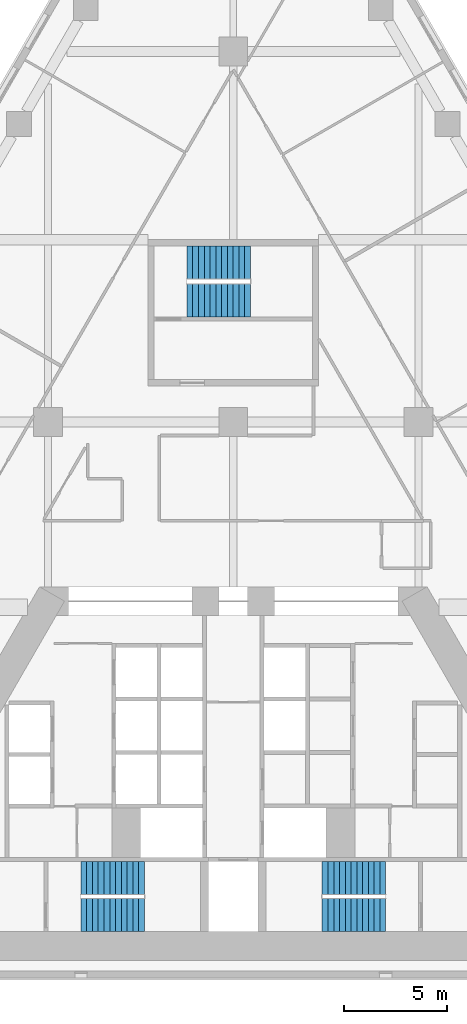
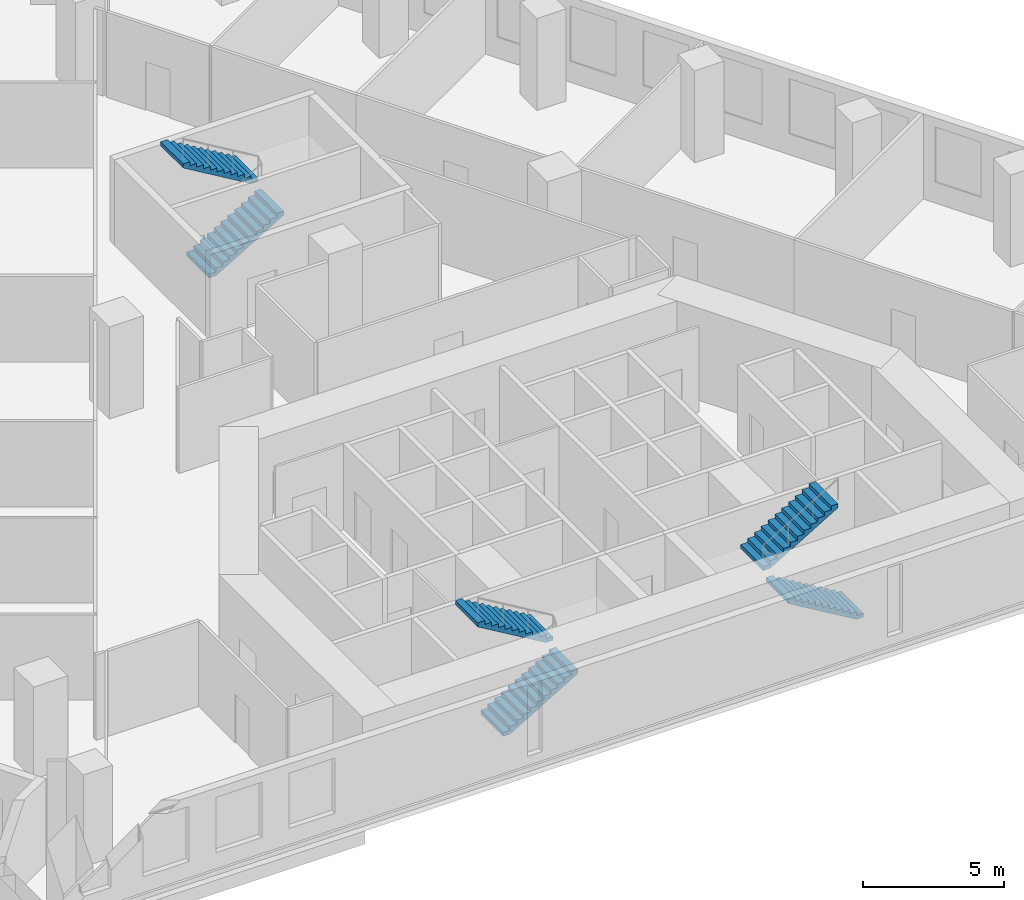
# One storey, part 10 of 11: 6 stair flights, 3 elements without a shape of their own.
"""IFC4 building model written with IfcOpenShell, lengths in metres."""

from ifc_helpers import new_model, si_unit, direction, frame, origin, place, context, subcontext, project, spatial, polyline, outline, extrude, material, type_object, element, aggregate, save


model = new_model("IFC4")

# Units and contexts
model_context = context("Model", 3, precision=1e-05, world=origin(), true_north=direction((0.0, 1.0)))
body_context = subcontext(model_context, "Body", "Model", "MODEL_VIEW")
ifc_project = project(units=[si_unit("LENGTHUNIT", "METRE"), si_unit("AREAUNIT", "SQUARE_METRE"), si_unit("VOLUMEUNIT", "CUBIC_METRE"), si_unit("PLANEANGLEUNIT", "RADIAN"), si_unit("MASSUNIT", "GRAM", prefix="KILO")], contexts=[model_context])

# Site, building, storey
site_placement = place(None, origin())
site = spatial("IfcSite", under=ifc_project, at=site_placement, CompositionType="ELEMENT")
building_placement = place(site_placement, origin())
building = spatial("IfcBuilding", under=site, at=building_placement, Name="Fogline Exchange Tower", CompositionType="ELEMENT")
storey_placement = place(building_placement, frame((0.0, 0.0, 52.89990234375)))
storey = spatial("IfcBuildingStorey", under=building, at=storey_placement, Name="L10", CompositionType="ELEMENT", Elevation=52.89990234375)

# Stair, stair flights
ifc_material = material(Name="Concrete C40", Category="concrete")
stair_type = type_object("IfcStairType", Name="STR24-1667", PredefinedType="HALF_TURN_STAIR", material=ifc_material)
stair_1_placement = place(storey_placement, origin())
stair_1 = element("IfcStair", 1, at=stair_1_placement, inside=storey, type_object=stair_type, Name="Stair ST1", PredefinedType="HALF_TURN_STAIR")
stair_flight_type = type_object("IfcStairFlightType", Name="SF12-1667", PredefinedType="STRAIGHT", material=ifc_material)
stair_flight_1_placement = place(storey_placement, frame((-7.39990234375, 3.050048828125, 0.0), z_axis=(0.0, 0.0, 1.0), x_axis=(1.0, 0.0, 0.0)))
stair_flight_1 = element("IfcStairFlight", 2, at=stair_flight_1_placement, type_object=stair_flight_type, Name="ST1 flight 1", NumberOfRisers=12, NumberOfTreads=11, PredefinedType="STRAIGHT", RiserHeight=0.166666667, TreadLength=0.28, context=body_context, shape_type="SweptSolid", body=[
    extrude(outline(polyline([(0.0, 0.0), (0.0, 0.166748046875), (0.280029296875, 0.166748046875), (0.280029296875, 0.333251953125), (0.56005859375, 0.333251953125), (0.56005859375, 0.5), (0.840087890625, 0.5), (0.840087890625, 0.666748046875), (1.1201171875, 0.666748046875), (1.1201171875, 0.833251953125), (1.39990234375, 0.833251953125), (1.39990234375, 1.0), (1.679931640625, 1.0), (1.679931640625, 1.166748046875), (1.9599609375, 1.166748046875), (1.9599609375, 1.333251953125), (2.239990234375, 1.333251953125), (2.239990234375, 1.5), (2.52001953125, 1.5), (2.52001953125, 1.666748046875), (2.800048828125, 1.666748046875), (2.800048828125, 1.833251953125), (3.080078125, 1.833251953125), (3.080078125, 2.0), (3.080078125, 1.658935546875), (0.29296875, 0.0), (0.0, 0.0)])), frame((0.0, 0.800048828125, 0.0), z_axis=(0.0, -1.0, 0.0), x_axis=(1.0, 0.0, 0.0)), (0.0, 0.0, 1.0), 1.60009765625),
])
stair_flight_2_placement = place(storey_placement, frame((-4.320068359375, 4.85009765625, 2.0), z_axis=(0.0, 0.0, 1.0), x_axis=(-1.0, 0.0, 0.0)))
stair_flight_2 = element("IfcStairFlight", 3, at=stair_flight_2_placement, type_object=stair_flight_type, Name="ST1 flight 2", NumberOfRisers=12, NumberOfTreads=11, PredefinedType="STRAIGHT", RiserHeight=0.166666667, TreadLength=0.28, context=body_context, shape_type="SweptSolid", body=[
    extrude(outline(polyline([(0.0, 0.0), (0.0, 0.166748046875), (0.280029296875, 0.166748046875), (0.280029296875, 0.333251953125), (0.56005859375, 0.333251953125), (0.56005859375, 0.5), (0.840087890625, 0.5), (0.840087890625, 0.666748046875), (1.1201171875, 0.666748046875), (1.1201171875, 0.833251953125), (1.39990234375, 0.833251953125), (1.39990234375, 1.0), (1.679931640625, 1.0), (1.679931640625, 1.166748046875), (1.9599609375, 1.166748046875), (1.9599609375, 1.333251953125), (2.239990234375, 1.333251953125), (2.239990234375, 1.5), (2.52001953125, 1.5), (2.52001953125, 1.666748046875), (2.800048828125, 1.666748046875), (2.800048828125, 1.833251953125), (3.080078125, 1.833251953125), (3.080078125, 2.0), (3.080078125, 1.658935546875), (0.29296875, 0.0), (0.0, 0.0)])), frame((0.0, 0.800048828125, 0.0), z_axis=(0.0, -1.0, 0.0), x_axis=(1.0, 0.0, 0.0)), (0.0, 0.0, 1.0), 1.60009765625),
])
aggregate(stair_1, [stair_flight_1, stair_flight_2])

stair_2_placement = place(storey_placement, origin())
stair_2 = element("IfcStair", 4, at=stair_2_placement, inside=storey, type_object=stair_type, Name="Stair ST2", PredefinedType="HALF_TURN_STAIR")
stair_flight_3_placement = place(storey_placement, frame((7.39990234375, 3.050048828125, 0.0), z_axis=(0.0, 0.0, 1.0), x_axis=(-1.0, 0.0, 0.0)))
stair_flight_3 = element("IfcStairFlight", 5, at=stair_flight_3_placement, type_object=stair_flight_type, Name="ST2 flight 1", NumberOfRisers=12, NumberOfTreads=11, PredefinedType="STRAIGHT", RiserHeight=0.166666667, TreadLength=0.28, context=body_context, shape_type="SweptSolid", body=[
    extrude(outline(polyline([(0.0, 0.0), (0.0, 0.166748046875), (0.280029296875, 0.166748046875), (0.280029296875, 0.333251953125), (0.56005859375, 0.333251953125), (0.56005859375, 0.5), (0.840087890625, 0.5), (0.840087890625, 0.666748046875), (1.1201171875, 0.666748046875), (1.1201171875, 0.833251953125), (1.39990234375, 0.833251953125), (1.39990234375, 1.0), (1.679931640625, 1.0), (1.679931640625, 1.166748046875), (1.9599609375, 1.166748046875), (1.9599609375, 1.333251953125), (2.239990234375, 1.333251953125), (2.239990234375, 1.5), (2.52001953125, 1.5), (2.52001953125, 1.666748046875), (2.800048828125, 1.666748046875), (2.800048828125, 1.833251953125), (3.080078125, 1.833251953125), (3.080078125, 2.0), (3.080078125, 1.658935546875), (0.29296875, 0.0), (0.0, 0.0)])), frame((0.0, 0.800048828125, 0.0), z_axis=(0.0, -1.0, 0.0), x_axis=(1.0, 0.0, 0.0)), (0.0, 0.0, 1.0), 1.60009765625),
])
stair_flight_4_placement = place(storey_placement, frame((4.320068359375, 4.85009765625, 2.0), z_axis=(0.0, 0.0, 1.0), x_axis=(1.0, 0.0, 0.0)))
stair_flight_4 = element("IfcStairFlight", 6, at=stair_flight_4_placement, type_object=stair_flight_type, Name="ST2 flight 2", NumberOfRisers=12, NumberOfTreads=11, PredefinedType="STRAIGHT", RiserHeight=0.166666667, TreadLength=0.28, context=body_context, shape_type="SweptSolid", body=[
    extrude(outline(polyline([(0.0, 0.0), (0.0, 0.166748046875), (0.280029296875, 0.166748046875), (0.280029296875, 0.333251953125), (0.56005859375, 0.333251953125), (0.56005859375, 0.5), (0.840087890625, 0.5), (0.840087890625, 0.666748046875), (1.1201171875, 0.666748046875), (1.1201171875, 0.833251953125), (1.39990234375, 0.833251953125), (1.39990234375, 1.0), (1.679931640625, 1.0), (1.679931640625, 1.166748046875), (1.9599609375, 1.166748046875), (1.9599609375, 1.333251953125), (2.239990234375, 1.333251953125), (2.239990234375, 1.5), (2.52001953125, 1.5), (2.52001953125, 1.666748046875), (2.800048828125, 1.666748046875), (2.800048828125, 1.833251953125), (3.080078125, 1.833251953125), (3.080078125, 2.0), (3.080078125, 1.658935546875), (0.29296875, 0.0), (0.0, 0.0)])), frame((0.0, 0.800048828125, 0.0), z_axis=(0.0, -1.0, 0.0), x_axis=(1.0, 0.0, 0.0)), (0.0, 0.0, 1.0), 1.60009765625),
])
aggregate(stair_2, [stair_flight_3, stair_flight_4])

stair_3_placement = place(storey_placement, origin())
stair_3 = element("IfcStair", 7, at=stair_3_placement, inside=storey, type_object=stair_type, Name="Stair ST3", PredefinedType="HALF_TURN_STAIR")
stair_flight_5_placement = place(storey_placement, frame((-2.25, 32.906982421875, 0.0), z_axis=(0.0, 0.0, 1.0), x_axis=(1.0, 0.0, 0.0)))
stair_flight_5 = element("IfcStairFlight", 8, at=stair_flight_5_placement, type_object=stair_flight_type, Name="ST3 flight 1", NumberOfRisers=12, NumberOfTreads=11, PredefinedType="STRAIGHT", RiserHeight=0.166666667, TreadLength=0.28, context=body_context, shape_type="SweptSolid", body=[
    extrude(outline(polyline([(0.0, 0.0), (0.0, 0.166748046875), (0.280029296875, 0.166748046875), (0.280029296875, 0.333251953125), (0.56005859375, 0.333251953125), (0.56005859375, 0.5), (0.840087890625, 0.5), (0.840087890625, 0.666748046875), (1.1201171875, 0.666748046875), (1.1201171875, 0.833251953125), (1.39990234375, 0.833251953125), (1.39990234375, 1.0), (1.679931640625, 1.0), (1.679931640625, 1.166748046875), (1.9599609375, 1.166748046875), (1.9599609375, 1.333251953125), (2.239990234375, 1.333251953125), (2.239990234375, 1.5), (2.52001953125, 1.5), (2.52001953125, 1.666748046875), (2.800048828125, 1.666748046875), (2.800048828125, 1.833251953125), (3.080078125, 1.833251953125), (3.080078125, 2.0), (3.080078125, 1.658935546875), (0.29296875, 0.0), (0.0, 0.0)])), frame((0.0, 0.800048828125, 0.0), z_axis=(0.0, -1.0, 0.0), x_axis=(1.0, 0.0, 0.0)), (0.0, 0.0, 1.0), 1.60009765625),
])
stair_flight_6_placement = place(storey_placement, frame((0.830078125, 34.757080078125, 2.0), z_axis=(0.0, 0.0, 1.0), x_axis=(-1.0, 0.0, 0.0)))
stair_flight_6 = element("IfcStairFlight", 9, at=stair_flight_6_placement, type_object=stair_flight_type, Name="ST3 flight 2", NumberOfRisers=12, NumberOfTreads=11, PredefinedType="STRAIGHT", RiserHeight=0.166666667, TreadLength=0.28, context=body_context, shape_type="SweptSolid", body=[
    extrude(outline(polyline([(0.0, 0.0), (0.0, 0.166748046875), (0.280029296875, 0.166748046875), (0.280029296875, 0.333251953125), (0.56005859375, 0.333251953125), (0.56005859375, 0.5), (0.840087890625, 0.5), (0.840087890625, 0.666748046875), (1.1201171875, 0.666748046875), (1.1201171875, 0.833251953125), (1.39990234375, 0.833251953125), (1.39990234375, 1.0), (1.679931640625, 1.0), (1.679931640625, 1.166748046875), (1.9599609375, 1.166748046875), (1.9599609375, 1.333251953125), (2.239990234375, 1.333251953125), (2.239990234375, 1.5), (2.52001953125, 1.5), (2.52001953125, 1.666748046875), (2.800048828125, 1.666748046875), (2.800048828125, 1.833251953125), (3.080078125, 1.833251953125), (3.080078125, 2.0), (3.080078125, 1.658935546875), (0.29296875, 0.0), (0.0, 0.0)])), frame((0.0, 0.800048828125, 0.0), z_axis=(0.0, -1.0, 0.0), x_axis=(1.0, 0.0, 0.0)), (0.0, 0.0, 1.0), 1.60009765625),
])
aggregate(stair_3, [stair_flight_5, stair_flight_6])

save(model, "model.ifc")
